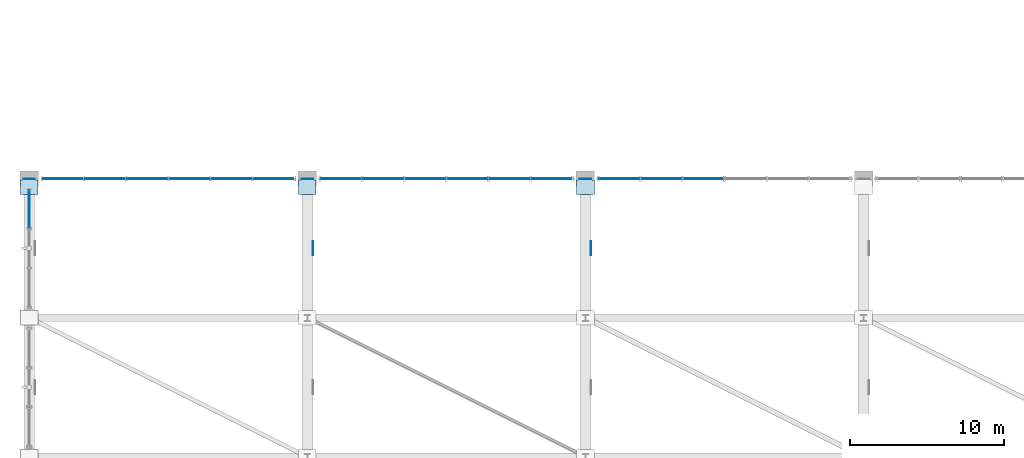
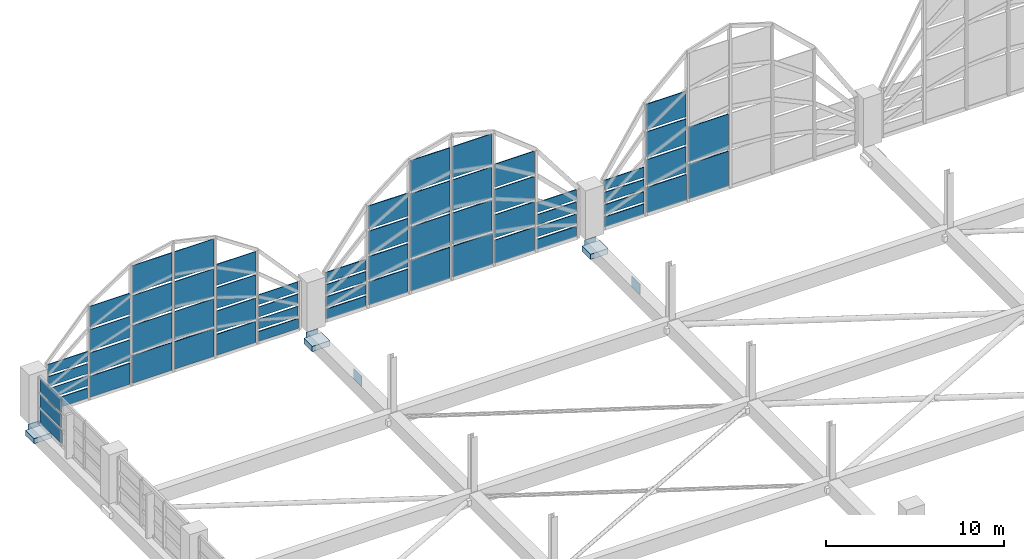
# One storey, part 88 of 116: 69 plates, 4 elements without a shape of their own.
"""IFC4 building model written with IfcOpenShell, lengths in metres."""

from ifc_helpers import new_model, si_unit, direction, frame, origin, origin_2d, place, context, subcontext, project, spatial, rectangle, extrude, material, layer, layer_set, type_object, element, aggregate, save


model = new_model("IFC4")

# Units and contexts
model_context = context("Model", 3, precision=1e-05, world=origin(), true_north=direction((0.0, 1.0)))
body_context = subcontext(model_context, "Body", "Model", "MODEL_VIEW")
ifc_project = project(units=[si_unit("LENGTHUNIT", "METRE"), si_unit("AREAUNIT", "SQUARE_METRE"), si_unit("VOLUMEUNIT", "CUBIC_METRE"), si_unit("PLANEANGLEUNIT", "RADIAN"), si_unit("MASSUNIT", "GRAM", prefix="KILO")], contexts=[model_context])

# Site, building, storey
site_placement = place(None, origin())
site = spatial("IfcSite", under=ifc_project, at=site_placement, CompositionType="ELEMENT")
building_placement = place(site_placement, origin())
building = spatial("IfcBuilding", under=site, at=building_placement, Name="Chuanluo Vaults Station", CompositionType="ELEMENT")
storey_placement = place(building_placement, frame((0.0, 0.0, 10.800048828125)))
storey = spatial("IfcBuildingStorey", under=building, at=storey_placement, Name="L02", CompositionType="ELEMENT", Elevation=10.800048828125)

# Curtain wall, plates
ifc_material_1 = material(Name="Anodised aluminium 6063-T6", Category="aluminium")
curtain_wall_type_1 = type_object("IfcCurtainWallType", Name="CW-SYS-03", PredefinedType="NOTDEFINED", material=ifc_material_1)
curtain_wall_1_placement = place(storey_placement, origin())
curtain_wall_1 = element("IfcCurtainWall", 1, at=curtain_wall_1_placement, inside=storey, type_object=curtain_wall_type_1, Name="Vault V1 north arched curtain wall", PredefinedType="NOTDEFINED")
ifc_material_2 = material(Name="Ceramic-fritted spandrel glass", Category="glass")
ifc_layer_1 = layer(ifc_material_2, 0.06396484375)
ifc_layer_set_1 = layer_set([ifc_layer_1], Name="Ceramic-fritted spandrel glass")
plate_type_1 = type_object("IfcPlateType", Name="CWP-SPN-42", PredefinedType="SHEET", material=ifc_layer_set_1)
plate_1_placement = place(storey_placement, frame((2.1875, 103.5, 0.080078125), z_axis=(0.0, 0.0, 1.0), x_axis=(1.0, 0.0, 0.0)))
plate_1 = element("IfcPlate", 2, at=plate_1_placement, type_object=plate_type_1, Name="Vault V1 north arched curtain wall glazed panel 1.1", PredefinedType="SHEET", context=body_context, shape_type="SweptSolid", body=[
    extrude(rectangle(XDim=2.56494140625, YDim=0.06396484375, at=origin_2d()), origin(), (0.0, 0.0, 1.0), 0.677490234375),
])
plate_2_placement = place(storey_placement, frame((4.91259765625, 103.5, 0.080078125), z_axis=(0.0, 0.0, 1.0), x_axis=(1.0, 0.0, 0.0)))
plate_2 = element("IfcPlate", 3, at=plate_2_placement, type_object=plate_type_1, Name="Vault V1 north arched curtain wall glazed panel 2.1", PredefinedType="SHEET", context=body_context, shape_type="SweptSolid", body=[
    extrude(rectangle(XDim=2.56494140625, YDim=0.06396484375, at=origin_2d()), origin(), (0.0, 0.0, 1.0), 1.4345703125),
])
plate_3_placement = place(storey_placement, frame((7.637451171875, 103.5, 0.079833984375), z_axis=(0.0, 0.0, 1.0), x_axis=(1.0, 0.0, 0.0)))
plate_3 = element("IfcPlate", 4, at=plate_3_placement, type_object=plate_type_1, Name="Vault V1 north arched curtain wall glazed panel 3.1", PredefinedType="SHEET", context=body_context, shape_type="SweptSolid", body=[
    extrude(rectangle(XDim=2.56494140625, YDim=0.06396484375, at=origin_2d()), origin(), (0.0, 0.0, 1.0), 1.888671875),
])
plate_4_placement = place(storey_placement, frame((10.362548828125, 103.5, 0.079833984375), z_axis=(0.0, 0.0, 1.0), x_axis=(1.0, 0.0, 0.0)))
plate_4 = element("IfcPlate", 5, at=plate_4_placement, type_object=plate_type_1, Name="Vault V1 north arched curtain wall glazed panel 4.1", PredefinedType="SHEET", context=body_context, shape_type="SweptSolid", body=[
    extrude(rectangle(XDim=2.56494140625, YDim=0.06396484375, at=origin_2d()), origin(), (0.0, 0.0, 1.0), 1.888671875),
])
plate_5_placement = place(storey_placement, frame((13.08740234375, 103.5, 0.080078125), z_axis=(0.0, 0.0, 1.0), x_axis=(1.0, 0.0, 0.0)))
plate_5 = element("IfcPlate", 6, at=plate_5_placement, type_object=plate_type_1, Name="Vault V1 north arched curtain wall glazed panel 5.1", PredefinedType="SHEET", context=body_context, shape_type="SweptSolid", body=[
    extrude(rectangle(XDim=2.56494140625, YDim=0.06396484375, at=origin_2d()), origin(), (0.0, 0.0, 1.0), 1.4345703125),
])
plate_6_placement = place(storey_placement, frame((15.8125, 103.5, 0.080078125), z_axis=(0.0, 0.0, 1.0), x_axis=(1.0, 0.0, 0.0)))
plate_6 = element("IfcPlate", 7, at=plate_6_placement, type_object=plate_type_1, Name="Vault V1 north arched curtain wall glazed panel 6.1", PredefinedType="SHEET", context=body_context, shape_type="SweptSolid", body=[
    extrude(rectangle(XDim=2.56494140625, YDim=0.06396484375, at=origin_2d()), origin(), (0.0, 0.0, 1.0), 0.677490234375),
])

ifc_material_3 = material(Name="Anodised aluminium 6063-T6", Category="aluminium")
curtain_wall_type_2 = type_object("IfcCurtainWallType", Name="CW-SYS-05", PredefinedType="NOTDEFINED", material=ifc_material_3)
curtain_wall_2_placement = place(storey_placement, origin())
curtain_wall_2 = element("IfcCurtainWall", 8, at=curtain_wall_2_placement, inside=storey, type_object=curtain_wall_type_2, Name="Vault V2 north arched curtain wall", PredefinedType="NOTDEFINED")
plate_7_placement = place(storey_placement, frame((20.1875, 103.5, 0.080078125), z_axis=(0.0, 0.0, 1.0), x_axis=(1.0, 0.0, 0.0)))
plate_7 = element("IfcPlate", 9, at=plate_7_placement, type_object=plate_type_1, Name="Vault V2 north arched curtain wall glazed panel 1.1", PredefinedType="SHEET", context=body_context, shape_type="SweptSolid", body=[
    extrude(rectangle(XDim=2.56494140625, YDim=0.06396484375, at=origin_2d()), origin(), (0.0, 0.0, 1.0), 0.677490234375),
])
plate_8_placement = place(storey_placement, frame((22.91259765625, 103.5, 0.080078125), z_axis=(0.0, 0.0, 1.0), x_axis=(1.0, 0.0, 0.0)))
plate_8 = element("IfcPlate", 10, at=plate_8_placement, type_object=plate_type_1, Name="Vault V2 north arched curtain wall glazed panel 2.1", PredefinedType="SHEET", context=body_context, shape_type="SweptSolid", body=[
    extrude(rectangle(XDim=2.56494140625, YDim=0.06396484375, at=origin_2d()), origin(), (0.0, 0.0, 1.0), 1.5732421875),
])
plate_9_placement = place(storey_placement, frame((25.637451171875, 103.5, 0.079833984375), z_axis=(0.0, 0.0, 1.0), x_axis=(1.0, 0.0, 0.0)))
plate_9 = element("IfcPlate", 11, at=plate_9_placement, type_object=plate_type_1, Name="Vault V2 north arched curtain wall glazed panel 3.1", PredefinedType="SHEET", context=body_context, shape_type="SweptSolid", body=[
    extrude(rectangle(XDim=2.56494140625, YDim=0.06396484375, at=origin_2d()), origin(), (0.0, 0.0, 1.0), 2.11083984375),
])
plate_10_placement = place(storey_placement, frame((28.362548828125, 103.5, 0.079833984375), z_axis=(0.0, 0.0, 1.0), x_axis=(1.0, 0.0, 0.0)))
plate_10 = element("IfcPlate", 12, at=plate_10_placement, type_object=plate_type_1, Name="Vault V2 north arched curtain wall glazed panel 4.1", PredefinedType="SHEET", context=body_context, shape_type="SweptSolid", body=[
    extrude(rectangle(XDim=2.56494140625, YDim=0.06396484375, at=origin_2d()), origin(), (0.0, 0.0, 1.0), 2.11083984375),
])
plate_11_placement = place(storey_placement, frame((31.08740234375, 103.5, 0.080078125), z_axis=(0.0, 0.0, 1.0), x_axis=(1.0, 0.0, 0.0)))
plate_11 = element("IfcPlate", 13, at=plate_11_placement, type_object=plate_type_1, Name="Vault V2 north arched curtain wall glazed panel 5.1", PredefinedType="SHEET", context=body_context, shape_type="SweptSolid", body=[
    extrude(rectangle(XDim=2.56494140625, YDim=0.06396484375, at=origin_2d()), origin(), (0.0, 0.0, 1.0), 1.5732421875),
])
plate_12_placement = place(storey_placement, frame((33.8125, 103.5, 0.080078125), z_axis=(0.0, 0.0, 1.0), x_axis=(1.0, 0.0, 0.0)))
plate_12 = element("IfcPlate", 14, at=plate_12_placement, type_object=plate_type_1, Name="Vault V2 north arched curtain wall glazed panel 6.1", PredefinedType="SHEET", context=body_context, shape_type="SweptSolid", body=[
    extrude(rectangle(XDim=2.56494140625, YDim=0.06396484375, at=origin_2d()), origin(), (0.0, 0.0, 1.0), 0.677490234375),
])

ifc_material_4 = material(Name="Anodised aluminium 6063-T6", Category="aluminium")
curtain_wall_type_3 = type_object("IfcCurtainWallType", Name="CW-SYS-09", PredefinedType="NOTDEFINED", material=ifc_material_4)
curtain_wall_3_placement = place(storey_placement, origin())
curtain_wall_3 = element("IfcCurtainWall", 15, at=curtain_wall_3_placement, inside=storey, type_object=curtain_wall_type_3, Name="Vault V3 north arched curtain wall", PredefinedType="NOTDEFINED")
plate_13_placement = place(storey_placement, frame((38.1875, 103.5, 0.080078125), z_axis=(0.0, 0.0, 1.0), x_axis=(1.0, 0.0, 0.0)))
plate_13 = element("IfcPlate", 16, at=plate_13_placement, type_object=plate_type_1, Name="Vault V3 north arched curtain wall glazed panel 1.1", PredefinedType="SHEET", context=body_context, shape_type="SweptSolid", body=[
    extrude(rectangle(XDim=2.56494140625, YDim=0.06396484375, at=origin_2d()), origin(), (0.0, 0.0, 1.0), 0.677490234375),
])
plate_14_placement = place(storey_placement, frame((40.91259765625, 103.5, 0.080078125), z_axis=(0.0, 0.0, 1.0), x_axis=(1.0, 0.0, 0.0)))
plate_14 = element("IfcPlate", 17, at=plate_14_placement, type_object=plate_type_1, Name="Vault V3 north arched curtain wall glazed panel 2.1", PredefinedType="SHEET", context=body_context, shape_type="SweptSolid", body=[
    extrude(rectangle(XDim=2.56494140625, YDim=0.06396484375, at=origin_2d()), origin(), (0.0, 0.0, 1.0), 1.739990234375),
])
plate_15_placement = place(storey_placement, frame((43.637451171875, 103.5, 0.080078125), z_axis=(0.0, 0.0, 1.0), x_axis=(1.0, 0.0, 0.0)))
plate_15 = element("IfcPlate", 18, at=plate_15_placement, type_object=plate_type_1, Name="Vault V3 north arched curtain wall glazed panel 3.1", PredefinedType="SHEET", context=body_context, shape_type="SweptSolid", body=[
    extrude(rectangle(XDim=2.56494140625, YDim=0.06396484375, at=origin_2d()), origin(), (0.0, 0.0, 1.0), 2.37744140625),
])

# Curtain wall, plate
ifc_material_5 = material(Name="Anodised aluminium 6063-T6", Category="aluminium")
curtain_wall_type_4 = type_object("IfcCurtainWallType", Name="CW-SYS-19", PredefinedType="NOTDEFINED", material=ifc_material_5)
curtain_wall_4_placement = place(storey_placement, origin())
curtain_wall_4 = element("IfcCurtainWall", 19, at=curtain_wall_4_placement, inside=storey, type_object=curtain_wall_type_4, Name="Train shed west clerestory CW 94", PredefinedType="NOTDEFINED")
plate_16_placement = place(storey_placement, frame((0.0, 101.550048828125, 0.080078125), z_axis=(0.0, 0.0, 1.0), x_axis=(0.0, 1.0, 0.0)))
plate_16 = element("IfcPlate", 20, at=plate_16_placement, type_object=plate_type_1, Name="Train shed west clerestory CW 94 glazed panel 3.1", PredefinedType="SHEET", context=body_context, shape_type="SweptSolid", body=[
    extrude(rectangle(XDim=2.389892578125, YDim=0.06396484375, at=origin_2d()), origin(), (0.0, 0.0, 1.0), 0.889892578125),
])

# Plate
ifc_material_6 = material(Name="Double-silver Low-E laminated glass", Category="glass")
ifc_layer_2 = layer(ifc_material_6, 0.048095703125)
ifc_layer_set_2 = layer_set([ifc_layer_2], Name="Double-silver Low-E laminated glass")
plate_type_2 = type_object("IfcPlateType", Name="CWP-VIS-32", PredefinedType="CURTAIN_PANEL", material=ifc_layer_set_2)
plate_17_placement = place(storey_placement, frame((2.1875, 103.5, 0.91748046875), z_axis=(0.0, 0.0, 1.0), x_axis=(1.0, 0.0, 0.0)))
plate_17 = element("IfcPlate", 21, at=plate_17_placement, type_object=plate_type_2, Name="Vault V1 north arched curtain wall glazed panel 1.2", PredefinedType="CURTAIN_PANEL", context=body_context, shape_type="SweptSolid", body=[
    extrude(rectangle(XDim=2.56494140625, YDim=0.048095703125, at=origin_2d()), origin(), (0.0, 0.0, 1.0), 0.677490234375),
])

plate_18_placement = place(storey_placement, frame((2.1875, 103.5, 1.7548828125), z_axis=(0.0, 0.0, 1.0), x_axis=(1.0, 0.0, 0.0)))
plate_18 = element("IfcPlate", 22, at=plate_18_placement, type_object=plate_type_2, Name="Vault V1 north arched curtain wall glazed panel 1.3", PredefinedType="CURTAIN_PANEL", context=body_context, shape_type="SweptSolid", body=[
    extrude(rectangle(XDim=2.56494140625, YDim=0.048095703125, at=origin_2d()), origin(), (0.0, 0.0, 1.0), 0.677490234375),
])

plate_19_placement = place(storey_placement, frame((2.1875, 103.5, 2.59228515625), z_axis=(0.0, 0.0, 1.0), x_axis=(1.0, 0.0, 0.0)))
plate_19 = element("IfcPlate", 23, at=plate_19_placement, type_object=plate_type_2, Name="Vault V1 north arched curtain wall glazed panel 1.4", PredefinedType="CURTAIN_PANEL", context=body_context, shape_type="SweptSolid", body=[
    extrude(rectangle(XDim=2.56494140625, YDim=0.048095703125, at=origin_2d()), origin(), (0.0, 0.0, 1.0), 0.677490234375),
])

plate_20_placement = place(storey_placement, frame((4.91259765625, 103.5, 1.67431640625), z_axis=(0.0, 0.0, 1.0), x_axis=(1.0, 0.0, 0.0)))
plate_20 = element("IfcPlate", 24, at=plate_20_placement, type_object=plate_type_2, Name="Vault V1 north arched curtain wall glazed panel 2.2", PredefinedType="CURTAIN_PANEL", context=body_context, shape_type="SweptSolid", body=[
    extrude(rectangle(XDim=2.56494140625, YDim=0.048095703125, at=origin_2d()), origin(), (0.0, 0.0, 1.0), 1.434326171875),
])

plate_21_placement = place(storey_placement, frame((4.91259765625, 103.5, 3.268798828125), z_axis=(0.0, 0.0, 1.0), x_axis=(1.0, 0.0, 0.0)))
plate_21 = element("IfcPlate", 25, at=plate_21_placement, type_object=plate_type_2, Name="Vault V1 north arched curtain wall glazed panel 2.3", PredefinedType="CURTAIN_PANEL", context=body_context, shape_type="SweptSolid", body=[
    extrude(rectangle(XDim=2.56494140625, YDim=0.048095703125, at=origin_2d()), origin(), (0.0, 0.0, 1.0), 1.4345703125),
])

plate_22_placement = place(storey_placement, frame((4.91259765625, 103.5, 4.86328125), z_axis=(0.0, 0.0, 1.0), x_axis=(1.0, 0.0, 0.0)))
plate_22 = element("IfcPlate", 26, at=plate_22_placement, type_object=plate_type_2, Name="Vault V1 north arched curtain wall glazed panel 2.4", PredefinedType="CURTAIN_PANEL", context=body_context, shape_type="SweptSolid", body=[
    extrude(rectangle(XDim=2.56494140625, YDim=0.048095703125, at=origin_2d()), origin(), (0.0, 0.0, 1.0), 1.434326171875),
])

plate_23_placement = place(storey_placement, frame((7.637451171875, 103.5, 2.12841796875), z_axis=(0.0, 0.0, 1.0), x_axis=(1.0, 0.0, 0.0)))
plate_23 = element("IfcPlate", 27, at=plate_23_placement, type_object=plate_type_2, Name="Vault V1 north arched curtain wall glazed panel 3.2", PredefinedType="CURTAIN_PANEL", context=body_context, shape_type="SweptSolid", body=[
    extrude(rectangle(XDim=2.56494140625, YDim=0.048095703125, at=origin_2d()), origin(), (0.0, 0.0, 1.0), 1.888671875),
])

plate_24_placement = place(storey_placement, frame((7.637451171875, 103.5, 4.177001953125), z_axis=(0.0, 0.0, 1.0), x_axis=(1.0, 0.0, 0.0)))
plate_24 = element("IfcPlate", 28, at=plate_24_placement, type_object=plate_type_2, Name="Vault V1 north arched curtain wall glazed panel 3.3", PredefinedType="CURTAIN_PANEL", context=body_context, shape_type="SweptSolid", body=[
    extrude(rectangle(XDim=2.56494140625, YDim=0.048095703125, at=origin_2d()), origin(), (0.0, 0.0, 1.0), 1.888671875),
])

plate_25_placement = place(storey_placement, frame((7.637451171875, 103.5, 6.225830078125), z_axis=(0.0, 0.0, 1.0), x_axis=(1.0, 0.0, 0.0)))
plate_25 = element("IfcPlate", 29, at=plate_25_placement, type_object=plate_type_2, Name="Vault V1 north arched curtain wall glazed panel 3.4", PredefinedType="CURTAIN_PANEL", context=body_context, shape_type="SweptSolid", body=[
    extrude(rectangle(XDim=2.56494140625, YDim=0.048095703125, at=origin_2d()), origin(), (0.0, 0.0, 1.0), 1.888671875),
])

plate_26_placement = place(storey_placement, frame((10.362548828125, 103.5, 2.12841796875), z_axis=(0.0, 0.0, 1.0), x_axis=(1.0, 0.0, 0.0)))
plate_26 = element("IfcPlate", 30, at=plate_26_placement, type_object=plate_type_2, Name="Vault V1 north arched curtain wall glazed panel 4.2", PredefinedType="CURTAIN_PANEL", context=body_context, shape_type="SweptSolid", body=[
    extrude(rectangle(XDim=2.56494140625, YDim=0.048095703125, at=origin_2d()), origin(), (0.0, 0.0, 1.0), 1.888671875),
])

plate_27_placement = place(storey_placement, frame((10.362548828125, 103.5, 4.177001953125), z_axis=(0.0, 0.0, 1.0), x_axis=(1.0, 0.0, 0.0)))
plate_27 = element("IfcPlate", 31, at=plate_27_placement, type_object=plate_type_2, Name="Vault V1 north arched curtain wall glazed panel 4.3", PredefinedType="CURTAIN_PANEL", context=body_context, shape_type="SweptSolid", body=[
    extrude(rectangle(XDim=2.56494140625, YDim=0.048095703125, at=origin_2d()), origin(), (0.0, 0.0, 1.0), 1.888671875),
])

plate_28_placement = place(storey_placement, frame((10.362548828125, 103.5, 6.225830078125), z_axis=(0.0, 0.0, 1.0), x_axis=(1.0, 0.0, 0.0)))
plate_28 = element("IfcPlate", 32, at=plate_28_placement, type_object=plate_type_2, Name="Vault V1 north arched curtain wall glazed panel 4.4", PredefinedType="CURTAIN_PANEL", context=body_context, shape_type="SweptSolid", body=[
    extrude(rectangle(XDim=2.56494140625, YDim=0.048095703125, at=origin_2d()), origin(), (0.0, 0.0, 1.0), 1.888671875),
])

plate_29_placement = place(storey_placement, frame((13.08740234375, 103.5, 1.67431640625), z_axis=(0.0, 0.0, 1.0), x_axis=(1.0, 0.0, 0.0)))
plate_29 = element("IfcPlate", 33, at=plate_29_placement, type_object=plate_type_2, Name="Vault V1 north arched curtain wall glazed panel 5.2", PredefinedType="CURTAIN_PANEL", context=body_context, shape_type="SweptSolid", body=[
    extrude(rectangle(XDim=2.56494140625, YDim=0.048095703125, at=origin_2d()), origin(), (0.0, 0.0, 1.0), 1.434326171875),
])

plate_30_placement = place(storey_placement, frame((13.08740234375, 103.5, 3.268798828125), z_axis=(0.0, 0.0, 1.0), x_axis=(1.0, 0.0, 0.0)))
plate_30 = element("IfcPlate", 34, at=plate_30_placement, type_object=plate_type_2, Name="Vault V1 north arched curtain wall glazed panel 5.3", PredefinedType="CURTAIN_PANEL", context=body_context, shape_type="SweptSolid", body=[
    extrude(rectangle(XDim=2.56494140625, YDim=0.048095703125, at=origin_2d()), origin(), (0.0, 0.0, 1.0), 1.4345703125),
])

plate_31_placement = place(storey_placement, frame((13.08740234375, 103.5, 4.86328125), z_axis=(0.0, 0.0, 1.0), x_axis=(1.0, 0.0, 0.0)))
plate_31 = element("IfcPlate", 35, at=plate_31_placement, type_object=plate_type_2, Name="Vault V1 north arched curtain wall glazed panel 5.4", PredefinedType="CURTAIN_PANEL", context=body_context, shape_type="SweptSolid", body=[
    extrude(rectangle(XDim=2.56494140625, YDim=0.048095703125, at=origin_2d()), origin(), (0.0, 0.0, 1.0), 1.434326171875),
])

plate_32_placement = place(storey_placement, frame((15.8125, 103.5, 0.91748046875), z_axis=(0.0, 0.0, 1.0), x_axis=(1.0, 0.0, 0.0)))
plate_32 = element("IfcPlate", 36, at=plate_32_placement, type_object=plate_type_2, Name="Vault V1 north arched curtain wall glazed panel 6.2", PredefinedType="CURTAIN_PANEL", context=body_context, shape_type="SweptSolid", body=[
    extrude(rectangle(XDim=2.56494140625, YDim=0.048095703125, at=origin_2d()), origin(), (0.0, 0.0, 1.0), 0.677490234375),
])

plate_33_placement = place(storey_placement, frame((15.8125, 103.5, 1.7548828125), z_axis=(0.0, 0.0, 1.0), x_axis=(1.0, 0.0, 0.0)))
plate_33 = element("IfcPlate", 37, at=plate_33_placement, type_object=plate_type_2, Name="Vault V1 north arched curtain wall glazed panel 6.3", PredefinedType="CURTAIN_PANEL", context=body_context, shape_type="SweptSolid", body=[
    extrude(rectangle(XDim=2.56494140625, YDim=0.048095703125, at=origin_2d()), origin(), (0.0, 0.0, 1.0), 0.677490234375),
])

plate_34_placement = place(storey_placement, frame((15.8125, 103.5, 2.59228515625), z_axis=(0.0, 0.0, 1.0), x_axis=(1.0, 0.0, 0.0)))
plate_34 = element("IfcPlate", 38, at=plate_34_placement, type_object=plate_type_2, Name="Vault V1 north arched curtain wall glazed panel 6.4", PredefinedType="CURTAIN_PANEL", context=body_context, shape_type="SweptSolid", body=[
    extrude(rectangle(XDim=2.56494140625, YDim=0.048095703125, at=origin_2d()), origin(), (0.0, 0.0, 1.0), 0.677490234375),
])

aggregate(curtain_wall_1, [plate_1, plate_17, plate_18, plate_19, plate_2, plate_20, plate_21, plate_22, plate_3, plate_23, plate_24, plate_25, plate_4, plate_26, plate_27, plate_28, plate_5, plate_29, plate_30, plate_31, plate_6, plate_32, plate_33, plate_34])

plate_35_placement = place(storey_placement, frame((0.0, 101.550048828125, 1.1298828125), z_axis=(0.0, 0.0, 1.0), x_axis=(0.0, 1.0, 0.0)))
plate_35 = element("IfcPlate", 39, at=plate_35_placement, type_object=plate_type_2, Name="Train shed west clerestory CW 94 glazed panel 3.2", PredefinedType="CURTAIN_PANEL", context=body_context, shape_type="SweptSolid", body=[
    extrude(rectangle(XDim=2.389892578125, YDim=0.048095703125, at=origin_2d()), origin(), (0.0, 0.0, 1.0), 0.889892578125),
])

plate_36_placement = place(storey_placement, frame((0.0, 101.550048828125, 2.18017578125), z_axis=(0.0, 0.0, 1.0), x_axis=(0.0, 1.0, 0.0)))
plate_36 = element("IfcPlate", 40, at=plate_36_placement, type_object=plate_type_2, Name="Train shed west clerestory CW 94 glazed panel 3.3", PredefinedType="CURTAIN_PANEL", context=body_context, shape_type="SweptSolid", body=[
    extrude(rectangle(XDim=2.389892578125, YDim=0.048095703125, at=origin_2d()), origin(), (0.0, 0.0, 1.0), 0.889892578125),
])

aggregate(curtain_wall_4, [plate_16, plate_35, plate_36])

ifc_material_7 = material(Name="Double-silver Low-E laminated glass", Category="glass")
ifc_layer_3 = layer(ifc_material_7, 0.05810546875)
ifc_layer_set_3 = layer_set([ifc_layer_3], Name="Double-silver Low-E laminated glass")
plate_type_3 = type_object("IfcPlateType", Name="CWP-VIS-38", PredefinedType="CURTAIN_PANEL", material=ifc_layer_set_3)
plate_37_placement = place(storey_placement, frame((20.1875, 103.5, 0.91748046875), z_axis=(0.0, 0.0, 1.0), x_axis=(1.0, 0.0, 0.0)))
plate_37 = element("IfcPlate", 41, at=plate_37_placement, type_object=plate_type_3, Name="Vault V2 north arched curtain wall glazed panel 1.2", PredefinedType="CURTAIN_PANEL", context=body_context, shape_type="SweptSolid", body=[
    extrude(rectangle(XDim=2.56494140625, YDim=0.05810546875, at=origin_2d()), origin(), (0.0, 0.0, 1.0), 0.677490234375),
])

plate_38_placement = place(storey_placement, frame((20.1875, 103.5, 1.7548828125), z_axis=(0.0, 0.0, 1.0), x_axis=(1.0, 0.0, 0.0)))
plate_38 = element("IfcPlate", 42, at=plate_38_placement, type_object=plate_type_3, Name="Vault V2 north arched curtain wall glazed panel 1.3", PredefinedType="CURTAIN_PANEL", context=body_context, shape_type="SweptSolid", body=[
    extrude(rectangle(XDim=2.56494140625, YDim=0.05810546875, at=origin_2d()), origin(), (0.0, 0.0, 1.0), 0.677490234375),
])

plate_39_placement = place(storey_placement, frame((20.1875, 103.5, 2.59228515625), z_axis=(0.0, 0.0, 1.0), x_axis=(1.0, 0.0, 0.0)))
plate_39 = element("IfcPlate", 43, at=plate_39_placement, type_object=plate_type_3, Name="Vault V2 north arched curtain wall glazed panel 1.4", PredefinedType="CURTAIN_PANEL", context=body_context, shape_type="SweptSolid", body=[
    extrude(rectangle(XDim=2.56494140625, YDim=0.05810546875, at=origin_2d()), origin(), (0.0, 0.0, 1.0), 0.677490234375),
])

plate_40_placement = place(storey_placement, frame((22.91259765625, 103.5, 1.81298828125), z_axis=(0.0, 0.0, 1.0), x_axis=(1.0, 0.0, 0.0)))
plate_40 = element("IfcPlate", 44, at=plate_40_placement, type_object=plate_type_3, Name="Vault V2 north arched curtain wall glazed panel 2.2", PredefinedType="CURTAIN_PANEL", context=body_context, shape_type="SweptSolid", body=[
    extrude(rectangle(XDim=2.56494140625, YDim=0.05810546875, at=origin_2d()), origin(), (0.0, 0.0, 1.0), 1.573486328125),
])

plate_41_placement = place(storey_placement, frame((22.91259765625, 103.5, 3.546630859375), z_axis=(0.0, 0.0, 1.0), x_axis=(1.0, 0.0, 0.0)))
plate_41 = element("IfcPlate", 45, at=plate_41_placement, type_object=plate_type_3, Name="Vault V2 north arched curtain wall glazed panel 2.3", PredefinedType="CURTAIN_PANEL", context=body_context, shape_type="SweptSolid", body=[
    extrude(rectangle(XDim=2.56494140625, YDim=0.05810546875, at=origin_2d()), origin(), (0.0, 0.0, 1.0), 1.5732421875),
])

plate_42_placement = place(storey_placement, frame((22.91259765625, 103.5, 5.280029296875), z_axis=(0.0, 0.0, 1.0), x_axis=(1.0, 0.0, 0.0)))
plate_42 = element("IfcPlate", 46, at=plate_42_placement, type_object=plate_type_3, Name="Vault V2 north arched curtain wall glazed panel 2.4", PredefinedType="CURTAIN_PANEL", context=body_context, shape_type="SweptSolid", body=[
    extrude(rectangle(XDim=2.56494140625, YDim=0.05810546875, at=origin_2d()), origin(), (0.0, 0.0, 1.0), 1.5732421875),
])

plate_43_placement = place(storey_placement, frame((25.637451171875, 103.5, 2.350830078125), z_axis=(0.0, 0.0, 1.0), x_axis=(1.0, 0.0, 0.0)))
plate_43 = element("IfcPlate", 47, at=plate_43_placement, type_object=plate_type_3, Name="Vault V2 north arched curtain wall glazed panel 3.2", PredefinedType="CURTAIN_PANEL", context=body_context, shape_type="SweptSolid", body=[
    extrude(rectangle(XDim=2.56494140625, YDim=0.05810546875, at=origin_2d()), origin(), (0.0, 0.0, 1.0), 2.11083984375),
])

plate_44_placement = place(storey_placement, frame((25.637451171875, 103.5, 4.62158203125), z_axis=(0.0, 0.0, 1.0), x_axis=(1.0, 0.0, 0.0)))
plate_44 = element("IfcPlate", 48, at=plate_44_placement, type_object=plate_type_3, Name="Vault V2 north arched curtain wall glazed panel 3.3", PredefinedType="CURTAIN_PANEL", context=body_context, shape_type="SweptSolid", body=[
    extrude(rectangle(XDim=2.56494140625, YDim=0.05810546875, at=origin_2d()), origin(), (0.0, 0.0, 1.0), 2.11083984375),
])

plate_45_placement = place(storey_placement, frame((25.637451171875, 103.5, 6.892333984375), z_axis=(0.0, 0.0, 1.0), x_axis=(1.0, 0.0, 0.0)))
plate_45 = element("IfcPlate", 49, at=plate_45_placement, type_object=plate_type_3, Name="Vault V2 north arched curtain wall glazed panel 3.4", PredefinedType="CURTAIN_PANEL", context=body_context, shape_type="SweptSolid", body=[
    extrude(rectangle(XDim=2.56494140625, YDim=0.05810546875, at=origin_2d()), origin(), (0.0, 0.0, 1.0), 2.11083984375),
])

plate_46_placement = place(storey_placement, frame((28.362548828125, 103.5, 2.350830078125), z_axis=(0.0, 0.0, 1.0), x_axis=(1.0, 0.0, 0.0)))
plate_46 = element("IfcPlate", 50, at=plate_46_placement, type_object=plate_type_3, Name="Vault V2 north arched curtain wall glazed panel 4.2", PredefinedType="CURTAIN_PANEL", context=body_context, shape_type="SweptSolid", body=[
    extrude(rectangle(XDim=2.56494140625, YDim=0.05810546875, at=origin_2d()), origin(), (0.0, 0.0, 1.0), 2.11083984375),
])

plate_47_placement = place(storey_placement, frame((28.362548828125, 103.5, 4.62158203125), z_axis=(0.0, 0.0, 1.0), x_axis=(1.0, 0.0, 0.0)))
plate_47 = element("IfcPlate", 51, at=plate_47_placement, type_object=plate_type_3, Name="Vault V2 north arched curtain wall glazed panel 4.3", PredefinedType="CURTAIN_PANEL", context=body_context, shape_type="SweptSolid", body=[
    extrude(rectangle(XDim=2.56494140625, YDim=0.05810546875, at=origin_2d()), origin(), (0.0, 0.0, 1.0), 2.11083984375),
])

plate_48_placement = place(storey_placement, frame((28.362548828125, 103.5, 6.892333984375), z_axis=(0.0, 0.0, 1.0), x_axis=(1.0, 0.0, 0.0)))
plate_48 = element("IfcPlate", 52, at=plate_48_placement, type_object=plate_type_3, Name="Vault V2 north arched curtain wall glazed panel 4.4", PredefinedType="CURTAIN_PANEL", context=body_context, shape_type="SweptSolid", body=[
    extrude(rectangle(XDim=2.56494140625, YDim=0.05810546875, at=origin_2d()), origin(), (0.0, 0.0, 1.0), 2.11083984375),
])

plate_49_placement = place(storey_placement, frame((31.08740234375, 103.5, 1.81298828125), z_axis=(0.0, 0.0, 1.0), x_axis=(1.0, 0.0, 0.0)))
plate_49 = element("IfcPlate", 53, at=plate_49_placement, type_object=plate_type_3, Name="Vault V2 north arched curtain wall glazed panel 5.2", PredefinedType="CURTAIN_PANEL", context=body_context, shape_type="SweptSolid", body=[
    extrude(rectangle(XDim=2.56494140625, YDim=0.05810546875, at=origin_2d()), origin(), (0.0, 0.0, 1.0), 1.573486328125),
])

plate_50_placement = place(storey_placement, frame((31.08740234375, 103.5, 3.546630859375), z_axis=(0.0, 0.0, 1.0), x_axis=(1.0, 0.0, 0.0)))
plate_50 = element("IfcPlate", 54, at=plate_50_placement, type_object=plate_type_3, Name="Vault V2 north arched curtain wall glazed panel 5.3", PredefinedType="CURTAIN_PANEL", context=body_context, shape_type="SweptSolid", body=[
    extrude(rectangle(XDim=2.56494140625, YDim=0.05810546875, at=origin_2d()), origin(), (0.0, 0.0, 1.0), 1.5732421875),
])

plate_51_placement = place(storey_placement, frame((31.08740234375, 103.5, 5.280029296875), z_axis=(0.0, 0.0, 1.0), x_axis=(1.0, 0.0, 0.0)))
plate_51 = element("IfcPlate", 55, at=plate_51_placement, type_object=plate_type_3, Name="Vault V2 north arched curtain wall glazed panel 5.4", PredefinedType="CURTAIN_PANEL", context=body_context, shape_type="SweptSolid", body=[
    extrude(rectangle(XDim=2.56494140625, YDim=0.05810546875, at=origin_2d()), origin(), (0.0, 0.0, 1.0), 1.5732421875),
])

plate_52_placement = place(storey_placement, frame((33.8125, 103.5, 0.91748046875), z_axis=(0.0, 0.0, 1.0), x_axis=(1.0, 0.0, 0.0)))
plate_52 = element("IfcPlate", 56, at=plate_52_placement, type_object=plate_type_3, Name="Vault V2 north arched curtain wall glazed panel 6.2", PredefinedType="CURTAIN_PANEL", context=body_context, shape_type="SweptSolid", body=[
    extrude(rectangle(XDim=2.56494140625, YDim=0.05810546875, at=origin_2d()), origin(), (0.0, 0.0, 1.0), 0.677490234375),
])

plate_53_placement = place(storey_placement, frame((33.8125, 103.5, 1.7548828125), z_axis=(0.0, 0.0, 1.0), x_axis=(1.0, 0.0, 0.0)))
plate_53 = element("IfcPlate", 57, at=plate_53_placement, type_object=plate_type_3, Name="Vault V2 north arched curtain wall glazed panel 6.3", PredefinedType="CURTAIN_PANEL", context=body_context, shape_type="SweptSolid", body=[
    extrude(rectangle(XDim=2.56494140625, YDim=0.05810546875, at=origin_2d()), origin(), (0.0, 0.0, 1.0), 0.677490234375),
])

plate_54_placement = place(storey_placement, frame((33.8125, 103.5, 2.59228515625), z_axis=(0.0, 0.0, 1.0), x_axis=(1.0, 0.0, 0.0)))
plate_54 = element("IfcPlate", 58, at=plate_54_placement, type_object=plate_type_3, Name="Vault V2 north arched curtain wall glazed panel 6.4", PredefinedType="CURTAIN_PANEL", context=body_context, shape_type="SweptSolid", body=[
    extrude(rectangle(XDim=2.56494140625, YDim=0.05810546875, at=origin_2d()), origin(), (0.0, 0.0, 1.0), 0.677490234375),
])

aggregate(curtain_wall_2, [plate_7, plate_37, plate_38, plate_39, plate_8, plate_40, plate_41, plate_42, plate_9, plate_43, plate_44, plate_45, plate_10, plate_46, plate_47, plate_48, plate_11, plate_49, plate_50, plate_51, plate_12, plate_52, plate_53, plate_54])

plate_55_placement = place(storey_placement, frame((38.1875, 103.5, 0.91748046875), z_axis=(0.0, 0.0, 1.0), x_axis=(1.0, 0.0, 0.0)))
plate_55 = element("IfcPlate", 59, at=plate_55_placement, type_object=plate_type_3, Name="Vault V3 north arched curtain wall glazed panel 1.2", PredefinedType="CURTAIN_PANEL", context=body_context, shape_type="SweptSolid", body=[
    extrude(rectangle(XDim=2.56494140625, YDim=0.05810546875, at=origin_2d()), origin(), (0.0, 0.0, 1.0), 0.677490234375),
])

plate_56_placement = place(storey_placement, frame((38.1875, 103.5, 1.7548828125), z_axis=(0.0, 0.0, 1.0), x_axis=(1.0, 0.0, 0.0)))
plate_56 = element("IfcPlate", 60, at=plate_56_placement, type_object=plate_type_3, Name="Vault V3 north arched curtain wall glazed panel 1.3", PredefinedType="CURTAIN_PANEL", context=body_context, shape_type="SweptSolid", body=[
    extrude(rectangle(XDim=2.56494140625, YDim=0.05810546875, at=origin_2d()), origin(), (0.0, 0.0, 1.0), 0.677490234375),
])

plate_57_placement = place(storey_placement, frame((38.1875, 103.5, 2.59228515625), z_axis=(0.0, 0.0, 1.0), x_axis=(1.0, 0.0, 0.0)))
plate_57 = element("IfcPlate", 61, at=plate_57_placement, type_object=plate_type_3, Name="Vault V3 north arched curtain wall glazed panel 1.4", PredefinedType="CURTAIN_PANEL", context=body_context, shape_type="SweptSolid", body=[
    extrude(rectangle(XDim=2.56494140625, YDim=0.05810546875, at=origin_2d()), origin(), (0.0, 0.0, 1.0), 0.677490234375),
])

plate_58_placement = place(storey_placement, frame((40.91259765625, 103.5, 1.97998046875), z_axis=(0.0, 0.0, 1.0), x_axis=(1.0, 0.0, 0.0)))
plate_58 = element("IfcPlate", 62, at=plate_58_placement, type_object=plate_type_3, Name="Vault V3 north arched curtain wall glazed panel 2.2", PredefinedType="CURTAIN_PANEL", context=body_context, shape_type="SweptSolid", body=[
    extrude(rectangle(XDim=2.56494140625, YDim=0.05810546875, at=origin_2d()), origin(), (0.0, 0.0, 1.0), 1.739990234375),
])

plate_59_placement = place(storey_placement, frame((40.91259765625, 103.5, 3.8798828125), z_axis=(0.0, 0.0, 1.0), x_axis=(1.0, 0.0, 0.0)))
plate_59 = element("IfcPlate", 63, at=plate_59_placement, type_object=plate_type_3, Name="Vault V3 north arched curtain wall glazed panel 2.3", PredefinedType="CURTAIN_PANEL", context=body_context, shape_type="SweptSolid", body=[
    extrude(rectangle(XDim=2.56494140625, YDim=0.05810546875, at=origin_2d()), origin(), (0.0, 0.0, 1.0), 1.739990234375),
])

plate_60_placement = place(storey_placement, frame((40.91259765625, 103.5, 5.77978515625), z_axis=(0.0, 0.0, 1.0), x_axis=(1.0, 0.0, 0.0)))
plate_60 = element("IfcPlate", 64, at=plate_60_placement, type_object=plate_type_3, Name="Vault V3 north arched curtain wall glazed panel 2.4", PredefinedType="CURTAIN_PANEL", context=body_context, shape_type="SweptSolid", body=[
    extrude(rectangle(XDim=2.56494140625, YDim=0.05810546875, at=origin_2d()), origin(), (0.0, 0.0, 1.0), 1.739990234375),
])

plate_61_placement = place(storey_placement, frame((43.637451171875, 103.5, 2.617431640625), z_axis=(0.0, 0.0, 1.0), x_axis=(1.0, 0.0, 0.0)))
plate_61 = element("IfcPlate", 65, at=plate_61_placement, type_object=plate_type_3, Name="Vault V3 north arched curtain wall glazed panel 3.2", PredefinedType="CURTAIN_PANEL", context=body_context, shape_type="SweptSolid", body=[
    extrude(rectangle(XDim=2.56494140625, YDim=0.05810546875, at=origin_2d()), origin(), (0.0, 0.0, 1.0), 2.37744140625),
])

aggregate(curtain_wall_3, [plate_13, plate_55, plate_56, plate_57, plate_14, plate_58, plate_59, plate_60, plate_15, plate_61])

# Plates
ifc_material_8 = material(Name="Steel Q390C", Category="steel")
ifc_layer_4 = layer(ifc_material_8, 0.02587890625)
ifc_layer_set_4 = layer_set([ifc_layer_4], Name="Steel Q390C")
plate_type_4 = type_object("IfcPlateType", Name="PLT-CAP-26", PredefinedType="USERDEFINED", material=ifc_layer_set_4)
for number, where, z_axis, x_axis, name in (
    (66, (0.0, 103.5, -1.320068359375), (0.0, 0.0, 1.0), (1.0, 0.0, 0.0), "Truss TT-1 top chord end cap N"),
    (67, (18.0, 103.5, -1.320068359375), (0.0, 0.0, 1.0), (1.0, 0.0, 0.0), "Truss TT-2 top chord end cap N"),
    (68, (36.0, 103.5, -1.320068359375), (0.0, 0.0, 1.0), (1.0, 0.0, 0.0), "Truss TT-3 top chord end cap N"),
):
    element("IfcPlate", number, at=place(storey_placement, frame(where, z_axis=z_axis, x_axis=x_axis)), inside=storey, type_object=plate_type_4, Name=name, ObjectType="COVER_PLATE", PredefinedType="USERDEFINED", context=body_context, shape_type="SweptSolid", body=[
        extrude(rectangle(XDim=0.739990234375, YDim=0.02587890625, at=origin_2d()), origin(), (0.0, 0.0, 1.0), 0.93994140625),
    ])
ifc_material_9 = material(Name="Steel Q390C", Category="steel")
ifc_layer_5 = layer(ifc_material_9, 0.031982421875)
ifc_layer_set_5 = layer_set([ifc_layer_5], Name="Steel Q390C")
plate_type_5 = type_object("IfcPlateType", Name="PLT-GUS-32", PredefinedType="USERDEFINED", material=ifc_layer_set_5)
for number, where, z_axis, x_axis, name in (
    (69, (18.364013671875, 99.0, -1.35009765625), (0.0, 0.0, 1.0), (1.0, 0.0, 0.0), "Truss TT-2 top node gusset 4"),
    (70, (36.364013671875, 99.0, -1.35009765625), (0.0, 0.0, 1.0), (1.0, 0.0, 0.0), "Truss TT-3 top node gusset 4"),
):
    element("IfcPlate", number, at=place(storey_placement, frame(where, z_axis=z_axis, x_axis=x_axis)), inside=storey, type_object=plate_type_5, Name=name, ObjectType="GUSSET_PLATE", PredefinedType="USERDEFINED", context=body_context, shape_type="SweptSolid", body=[
        extrude(rectangle(XDim=0.031982421875, YDim=0.89990234375, at=origin_2d()), origin(), (0.0, 0.0, 1.0), 0.699951171875),
    ])
for number, where, z_axis, x_axis, name in (
    (71, (0.0, 102.949951171875, -1.0302734375), (0.0, 0.0, 1.0), (1.0, 0.0, 0.0), "Structural steel node diaphragm 0045"),
    (72, (18.0, 102.949951171875, -1.0302734375), (0.0, 0.0, 1.0), (1.0, 0.0, 0.0), "Structural steel node diaphragm 0050"),
    (73, (36.0, 102.949951171875, -1.0302734375), (0.0, 0.0, 1.0), (1.0, 0.0, 0.0), "Structural steel node diaphragm 0055"),
):
    element("IfcPlate", number, at=place(storey_placement, frame(where, z_axis=z_axis, x_axis=x_axis)), inside=storey, type_object=plate_type_5, Name=name, ObjectType="GUSSET_PLATE", PredefinedType="USERDEFINED", context=body_context, shape_type="SweptSolid", body=[
        extrude(rectangle(XDim=1.14990234375, YDim=0.949951171875, at=origin_2d()), origin(), (0.0, 0.0, 1.0), 0.360107421875),
    ])

save(model, "model.ifc")
